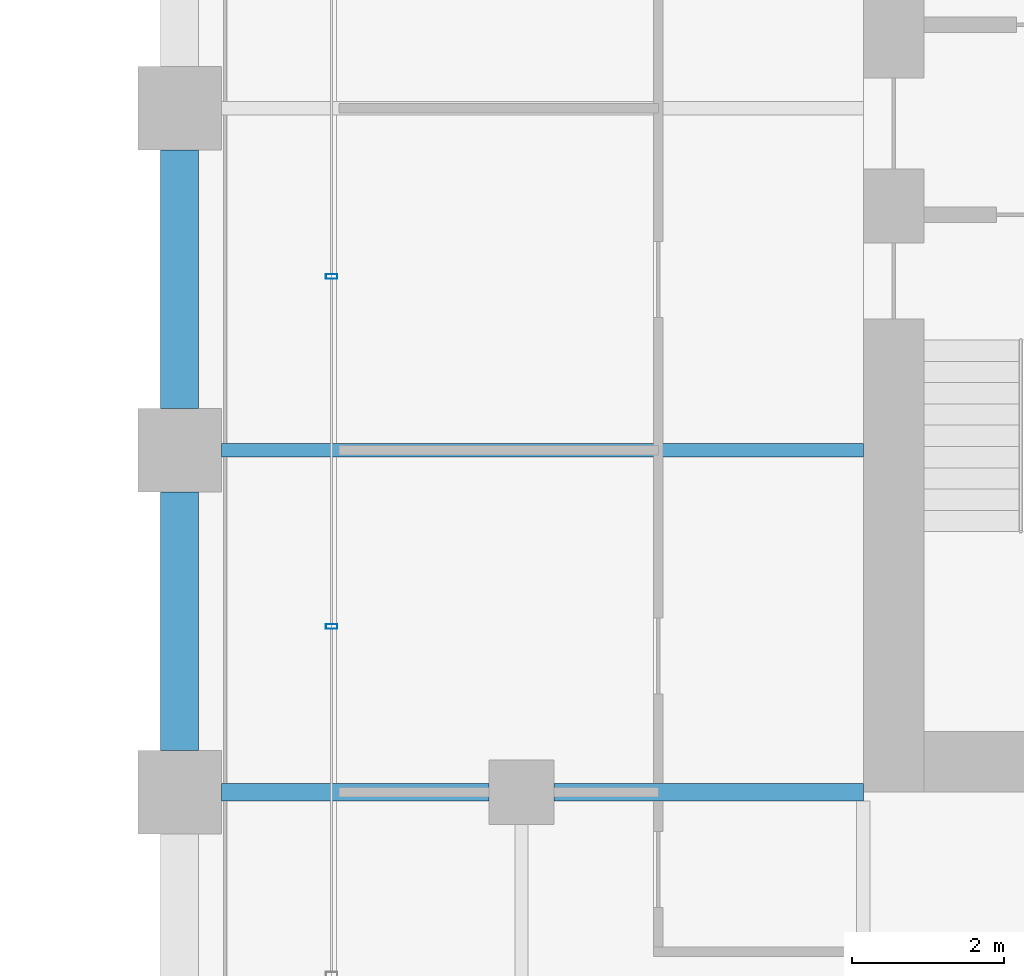
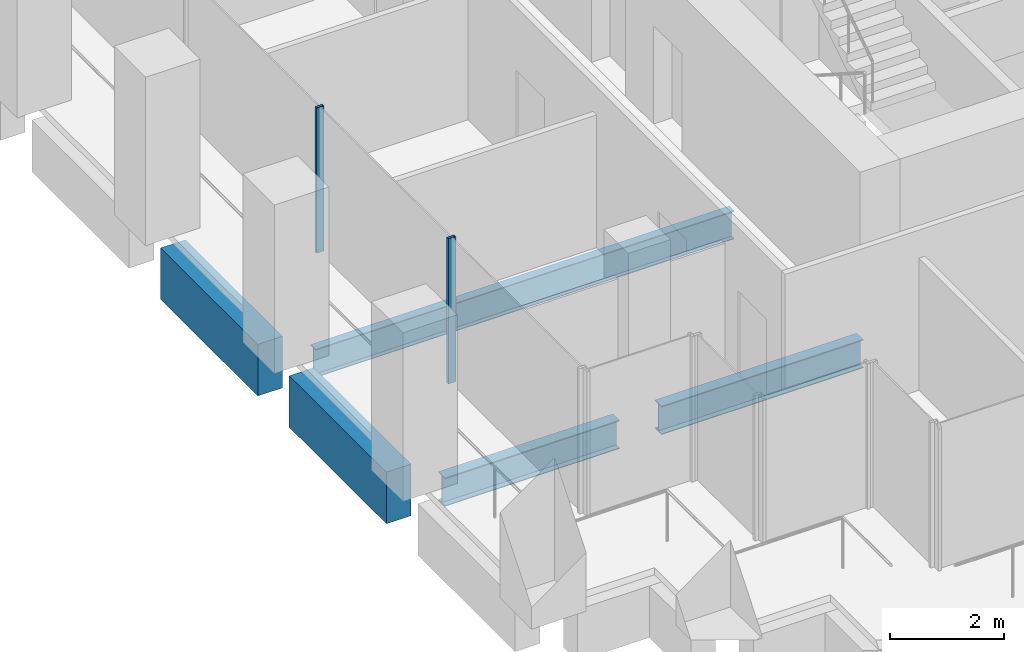
# One storey, part 36 of 56: 5 beams, 2 members, 1 element without a shape of its own.
"""IFC4 building model written with IfcOpenShell, lengths in metres."""

from ifc_helpers import new_model, si_unit, direction, frame, origin, origin_2d, place, context, subcontext, project, spatial, rectangle, hollow_rectangle, i_section, extrude, material, material_profile, profile_set, type_object, element, aggregate, save


model = new_model("IFC4")

# Units and contexts
model_context = context("Model", 3, precision=1e-05, world=origin(), true_north=direction((0.0, 1.0)))
body_context = subcontext(model_context, "Body", "Model", "MODEL_VIEW")
ifc_project = project(units=[si_unit("LENGTHUNIT", "METRE"), si_unit("AREAUNIT", "SQUARE_METRE"), si_unit("VOLUMEUNIT", "CUBIC_METRE"), si_unit("PLANEANGLEUNIT", "RADIAN"), si_unit("MASSUNIT", "GRAM", prefix="KILO")], contexts=[model_context])

# Site, building, storey
site_placement = place(None, origin())
site = spatial("IfcSite", under=ifc_project, at=site_placement, CompositionType="ELEMENT")
building_placement = place(site_placement, origin())
building = spatial("IfcBuilding", under=site, at=building_placement, Name="Altepetl Exchange Towers", CompositionType="ELEMENT")
storey_placement = place(building_placement, frame((0.0, 0.0, 54.60009765625)))
storey = spatial("IfcBuildingStorey", under=building, at=storey_placement, Name="L12", CompositionType="ELEMENT", Elevation=54.60009765625)

# Beams
ifc_material_1 = material(Name="Steel S355", Category="steel")
ifc_material_profile_1 = material_profile(ifc_material_1, i_section(OverallWidth=0.177978515625, OverallDepth=0.59912109375, WebThickness=0.010009765625, FlangeThickness=0.0126953125, at=origin_2d()), Name="W24X55")
ifc_profile_set_1 = profile_set([ifc_material_profile_1], Name="Steel S355")
beam_type_1 = type_object("IfcBeamType", Name="Floor beam W24X55", PredefinedType="BEAM", material=ifc_profile_set_1)
beam_1_placement = place(storey_placement, frame((95.050048828125, 40.5, -0.44970703125), z_axis=(1.0, 0.0, 0.0), x_axis=(0.0, 1.0, 0.0)))
element("IfcBeam", 1, at=beam_1_placement, inside=storey, type_object=beam_type_1, Name="bm:B:L12:012", PredefinedType="BEAM", context=body_context, shape_type="SweptSolid", body=[
    extrude(i_section(OverallWidth=0.177978515625, OverallDepth=0.59912109375, WebThickness=0.010009765625, FlangeThickness=0.0126953125, at=origin_2d()), origin(), (0.0, 0.0, 1.0), 8.449951171875),
])
ifc_material_profile_2 = material_profile(ifc_material_1, i_section(OverallWidth=0.22802734375, OverallDepth=0.60791015625, WebThickness=0.01123046875, FlangeThickness=0.017333984375, at=origin_2d()), Name="W24X76")
ifc_profile_set_2 = profile_set([ifc_material_profile_2], Name="Steel S355")
beam_type_2 = type_object("IfcBeamType", Name="Girder W24X76", PredefinedType="BEAM", material=ifc_profile_set_2)
beam_2_placement = place(storey_placement, frame((103.5, 36.0, -0.4541015625), z_axis=(-1.0, 0.0, 0.0), x_axis=(0.0, -1.0, 0.0)))
element("IfcBeam", 2, at=beam_2_placement, inside=storey, type_object=beam_type_2, Name="gd:B:L12:006", PredefinedType="BEAM", context=body_context, shape_type="SweptSolid", body=[
    extrude(i_section(OverallWidth=0.22802734375, OverallDepth=0.60791015625, WebThickness=0.01123046875, FlangeThickness=0.017333984375, at=origin_2d()), origin(), (0.0, 0.0, 1.0), 4.074951171875),
])
beam_3_placement = place(storey_placement, frame((98.574951171875, 36.0, -0.4541015625), z_axis=(-1.0, 0.0, 0.0), x_axis=(0.0, -1.0, 0.0)))
element("IfcBeam", 3, at=beam_3_placement, inside=storey, type_object=beam_type_2, Name="gd:B:L12:007", PredefinedType="BEAM", context=body_context, shape_type="SweptSolid", body=[
    extrude(i_section(OverallWidth=0.22802734375, OverallDepth=0.60791015625, WebThickness=0.01123046875, FlangeThickness=0.017333984375, at=origin_2d()), origin(), (0.0, 0.0, 1.0), 3.52490234375),
])

# Curtain wall, members
ifc_material_2 = material(Name="Aluminium 6063-T6 glazing", Category="aluminium")
curtain_wall_type = type_object("IfcCurtainWallType", Name="Loggia glazing system", PredefinedType="NOTDEFINED", material=ifc_material_2)
curtain_wall_placement = place(storey_placement, origin())
curtain_wall = element("IfcCurtainWall", 4, at=curtain_wall_placement, inside=storey, type_object=curtain_wall_type, Name="CW1 run", PredefinedType="NOTDEFINED")
ifc_material_3 = material(Name="Aluminium 6063-T6", Category="aluminium")
ifc_material_profile_3 = material_profile(ifc_material_3, hollow_rectangle(XDim=0.06005859375, YDim=0.14990234375, WallThickness=0.0029296875, at=origin_2d()), Name="Mullion 60x150 aluminium")
ifc_profile_set_3 = profile_set([ifc_material_profile_3], Name="Aluminium 6063-T6")
member_type = type_object("IfcMemberType", Name="Mullion 60x150 aluminium", PredefinedType="MULLION", material=ifc_profile_set_3)
member_1_placement = place(storey_placement, frame((96.5, 42.78759765625, 0.0), z_axis=(0.0, 0.0, 1.0), x_axis=(0.0, -1.0, 0.0)))
member_1 = element("IfcMember", 5, at=member_1_placement, type_object=member_type, Name="MU1 mullion", PredefinedType="MULLION", context=body_context, shape_type="SweptSolid", body=[
    extrude(hollow_rectangle(XDim=0.06005859375, YDim=0.14990234375, WallThickness=0.0029296875, at=origin_2d()), origin(), (0.0, 0.0, 1.0), 3.099853515625),
])
member_2_placement = place(storey_placement, frame((96.5, 38.18115234375, 0.0), z_axis=(0.0, 0.0, 1.0), x_axis=(0.0, -1.0, 0.0)))
member_2 = element("IfcMember", 6, at=member_2_placement, type_object=member_type, Name="MU1 mullion", PredefinedType="MULLION", context=body_context, shape_type="SweptSolid", body=[
    extrude(hollow_rectangle(XDim=0.06005859375, YDim=0.14990234375, WallThickness=0.0029296875, at=origin_2d()), origin(), (0.0, 0.0, 1.0), 3.099853515625),
])
aggregate(curtain_wall, [member_1, member_2])

# Beams
ifc_material_4 = material(Name="Concrete C50/60 precast with cantera rosa facing", Category="concrete")
ifc_material_profile_4 = material_profile(ifc_material_4, rectangle(XDim=0.5, YDim=1.10009765625, at=origin_2d()), Name="500 x 1100")
ifc_profile_set_4 = profile_set([ifc_material_profile_4], Name="Concrete C50/60 precast with cantera rosa facing")
beam_type_3 = type_object("IfcBeamType", Name="Spandrel beam 500x1100 cantera rosa", PredefinedType="SPANDREL", material=ifc_profile_set_4)
for number, where, z_axis, x_axis, name in (
    (7, (94.5, 44.449951171875, -0.7001953125), (0.0, -1.0, 0.0), (1.0, 0.0, 0.0), "sp:B:L12:029"),
    (8, (94.5, 39.949951171875, -0.7001953125), (0.0, -1.0, 0.0), (1.0, 0.0, 0.0), "sp:B:L12:030"),
):
    element("IfcBeam", number, at=place(storey_placement, frame(where, z_axis=z_axis, x_axis=x_axis)), inside=storey, type_object=beam_type_3, Name=name, PredefinedType="SPANDREL", context=body_context, shape_type="SweptSolid", body=[
        extrude(rectangle(XDim=0.5, YDim=1.10009765625, at=origin_2d()), origin(), (0.0, 0.0, 1.0), 3.39990234375),
    ])

save(model, "model.ifc")
